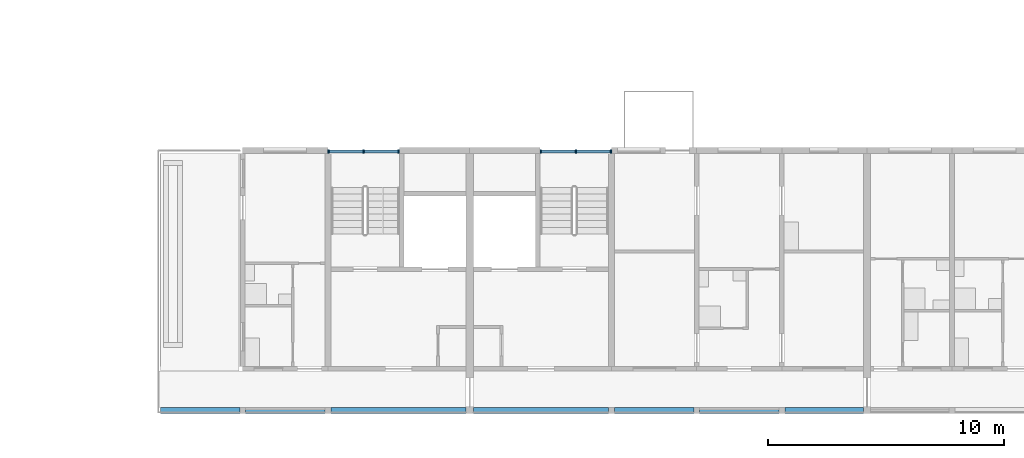
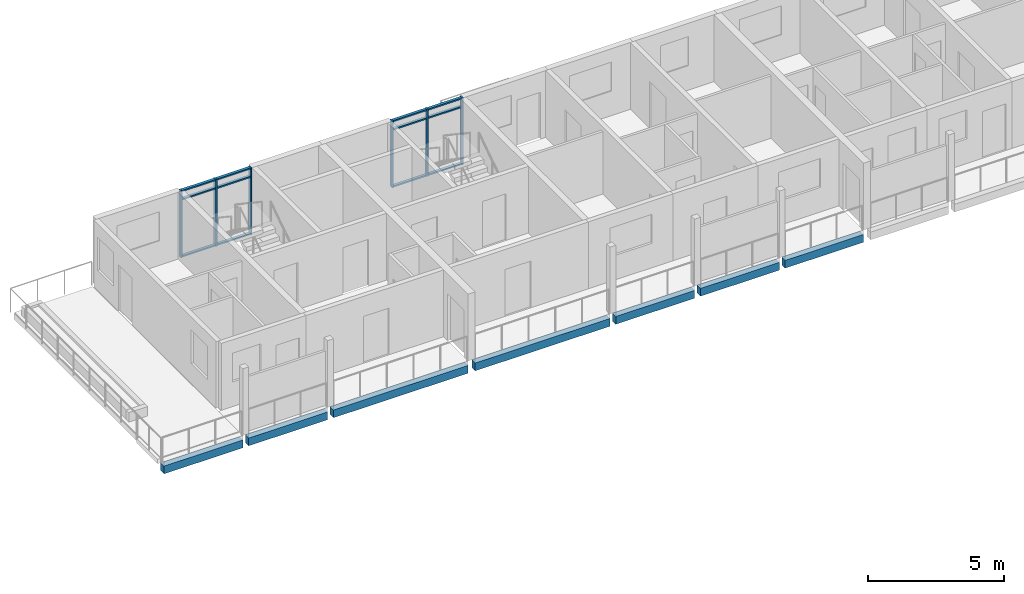
# One storey, part 14 of 78: 18 members, 7 beams, 2 elements without a shape of their own.
"""IFC4 building model written with IfcOpenShell, lengths in metres."""

from ifc_helpers import new_model, si_unit, direction, frame, origin, origin_2d, place, context, subcontext, project, spatial, rectangle, extrude, material, material_profile, profile_set, type_object, element, aggregate, save


model = new_model("IFC4")

# Units and contexts
model_context = context("Model", 3, precision=1e-05, world=origin(), true_north=direction((0.0, 1.0)))
body_context = subcontext(model_context, "Body", "Model", "MODEL_VIEW")
ifc_project = project(units=[si_unit("LENGTHUNIT", "METRE"), si_unit("AREAUNIT", "SQUARE_METRE"), si_unit("VOLUMEUNIT", "CUBIC_METRE"), si_unit("PLANEANGLEUNIT", "RADIAN"), si_unit("MASSUNIT", "GRAM", prefix="KILO")], contexts=[model_context])

# Site, building, storey
site_placement = place(None, origin())
site = spatial("IfcSite", under=ifc_project, at=site_placement, CompositionType="ELEMENT")
building_placement = place(site_placement, origin())
building = spatial("IfcBuilding", under=site, at=building_placement, Name="Ridgestep Commons", CompositionType="ELEMENT")
storey_placement = place(building_placement, frame((0.0, 0.0, 30.0)))
storey = spatial("IfcBuildingStorey", under=building, at=storey_placement, Name="L10", CompositionType="ELEMENT", Elevation=30.0)

# Beams
ifc_material_1 = material(Name="Precast concrete C40/50", Category="concrete")
ifc_material_profile_1 = material_profile(ifc_material_1, rectangle(XDim=0.25, YDim=0.35009765625, at=origin_2d()), Name="PC 250x350")
ifc_profile_set_1 = profile_set([ifc_material_profile_1], Name="Precast concrete C40/50")
beam_type = type_object("IfcBeamType", Name="Loggia edge beam 250 x 350", PredefinedType="SPANDREL", material=ifc_profile_set_1)
for number, where, z_axis, x_axis, name in (
    (1, (150.52490234375, 11.875, -0.375), (1.0, 0.0, 0.0), (0.0, 1.0, 0.0), "Loggia edge beam D1T2 L10"),
    (2, (154.125, 11.875, -0.375), (1.0, 0.0, 0.0), (0.0, 1.0, 0.0), "Loggia edge beam D1T3 L10"),
):
    element("IfcBeam", number, at=place(storey_placement, frame(where, z_axis=z_axis, x_axis=x_axis)), inside=storey, type_object=beam_type, Name=name, PredefinedType="SPANDREL", context=body_context, shape_type="SweptSolid", body=[
        extrude(rectangle(XDim=0.25, YDim=0.35009765625, at=origin_2d()), origin(), (0.0, 0.0, 1.0), 3.35009765625),
    ])
beam_1_placement = place(storey_placement, frame((157.72509765625, 11.875, -0.375), z_axis=(1.0, 0.0, 0.0), x_axis=(0.0, 1.0, 0.0)))
element("IfcBeam", 3, at=beam_1_placement, inside=storey, type_object=beam_type, Name="Loggia edge beam D1C L10", PredefinedType="SPANDREL", context=body_context, shape_type="SweptSolid", body=[
    extrude(rectangle(XDim=0.25, YDim=0.35009765625, at=origin_2d()), origin(), (0.0, 0.0, 1.0), 5.724853515625),
])
beam_2_placement = place(storey_placement, frame((163.75, 11.875, -0.375), z_axis=(1.0, 0.0, 0.0), x_axis=(0.0, 1.0, 0.0)))
element("IfcBeam", 4, at=beam_2_placement, inside=storey, type_object=beam_type, Name="Loggia edge beam D2C L10", PredefinedType="SPANDREL", context=body_context, shape_type="SweptSolid", body=[
    extrude(rectangle(XDim=0.25, YDim=0.35009765625, at=origin_2d()), origin(), (0.0, 0.0, 1.0), 5.72509765625),
])
beam_3_placement = place(storey_placement, frame((169.72509765625, 11.875, -0.375), z_axis=(1.0, 0.0, 0.0), x_axis=(0.0, 1.0, 0.0)))
element("IfcBeam", 5, at=beam_3_placement, inside=storey, type_object=beam_type, Name="Loggia edge beam D2T3 L10", PredefinedType="SPANDREL", context=body_context, shape_type="SweptSolid", body=[
    extrude(rectangle(XDim=0.25, YDim=0.35009765625, at=origin_2d()), origin(), (0.0, 0.0, 1.0), 3.349853515625),
])
beam_4_placement = place(storey_placement, frame((173.324951171875, 11.875, -0.375), z_axis=(1.0, 0.0, 0.0), x_axis=(0.0, 1.0, 0.0)))
element("IfcBeam", 6, at=beam_4_placement, inside=storey, type_object=beam_type, Name="Loggia edge beam D2T2 L10", PredefinedType="SPANDREL", context=body_context, shape_type="SweptSolid", body=[
    extrude(rectangle(XDim=0.25, YDim=0.35009765625, at=origin_2d()), origin(), (0.0, 0.0, 1.0), 3.35009765625),
])
beam_5_placement = place(storey_placement, frame((176.925048828125, 11.875, -0.375), z_axis=(1.0, 0.0, 0.0), x_axis=(0.0, 1.0, 0.0)))
element("IfcBeam", 7, at=beam_5_placement, inside=storey, type_object=beam_type, Name="Loggia edge beam D2T1 L10", PredefinedType="SPANDREL", context=body_context, shape_type="SweptSolid", body=[
    extrude(rectangle(XDim=0.25, YDim=0.35009765625, at=origin_2d()), origin(), (0.0, 0.0, 1.0), 3.324951171875),
])

# Curtain wall, members
ifc_material_2 = material(Name="Aluminium 6063-T6 and glass", Category="aluminium")
curtain_wall_type = type_object("IfcCurtainWallType", Name="Curtain wall stair strip", PredefinedType="NOTDEFINED", material=ifc_material_2)
curtain_wall_1_placement = place(storey_placement, origin())
curtain_wall_1 = element("IfcCurtainWall", 8, at=curtain_wall_1_placement, inside=storey, type_object=curtain_wall_type, Name="Curtain wall D1C level 10", PredefinedType="NOTDEFINED")
ifc_material_3 = material(Name="Aluminium 6063-T6", Category="aluminium")
ifc_material_profile_2 = material_profile(ifc_material_3, rectangle(XDim=0.159912109375, YDim=0.06005859375, at=origin_2d()), Name="Mullion 60 x 160")
ifc_profile_set_2 = profile_set([ifc_material_profile_2], Name="Aluminium 6063-T6")
member_type_1 = type_object("IfcMemberType", Name="Mullion 60 x 160", PredefinedType="MULLION", material=ifc_profile_set_2)
member_1_placement = place(storey_placement, frame((157.6298828125, 22.830078125, 0.0), z_axis=(0.0, 0.0, 1.0), x_axis=(0.0, 1.0, 0.0)))
member_1 = element("IfcMember", 9, at=member_1_placement, type_object=member_type_1, Name="CW1 mullion 1", PredefinedType="MULLION", context=body_context, shape_type="SweptSolid", body=[
    extrude(rectangle(XDim=0.159912109375, YDim=0.06005859375, at=origin_2d()), origin(), (0.0, 0.0, 1.0), 3.0),
])
member_2_placement = place(storey_placement, frame((159.112548828125, 22.830078125, 0.0), z_axis=(0.0, 0.0, 1.0), x_axis=(0.0, 1.0, 0.0)))
member_2 = element("IfcMember", 10, at=member_2_placement, type_object=member_type_1, Name="CW1 mullion 2", PredefinedType="MULLION", context=body_context, shape_type="SweptSolid", body=[
    extrude(rectangle(XDim=0.159912109375, YDim=0.06005859375, at=origin_2d()), origin(), (0.0, 0.0, 1.0), 3.0),
])
member_3_placement = place(storey_placement, frame((160.594970703125, 22.830078125, 0.0), z_axis=(0.0, 0.0, 1.0), x_axis=(0.0, 1.0, 0.0)))
member_3 = element("IfcMember", 11, at=member_3_placement, type_object=member_type_1, Name="CW1 mullion 3", PredefinedType="MULLION", context=body_context, shape_type="SweptSolid", body=[
    extrude(rectangle(XDim=0.159912109375, YDim=0.06005859375, at=origin_2d()), origin(), (0.0, 0.0, 1.0), 3.0),
])

curtain_wall_2_placement = place(storey_placement, origin())
curtain_wall_2 = element("IfcCurtainWall", 12, at=curtain_wall_2_placement, inside=storey, type_object=curtain_wall_type, Name="Curtain wall D2C level 10", PredefinedType="NOTDEFINED")
member_4_placement = place(storey_placement, frame((166.60498046875, 22.830078125, 0.0), z_axis=(0.0, 0.0, 1.0), x_axis=(0.0, 1.0, 0.0)))
member_4 = element("IfcMember", 13, at=member_4_placement, type_object=member_type_1, Name="CW1 mullion 1", PredefinedType="MULLION", context=body_context, shape_type="SweptSolid", body=[
    extrude(rectangle(XDim=0.159912109375, YDim=0.06005859375, at=origin_2d()), origin(), (0.0, 0.0, 1.0), 3.0),
])
member_5_placement = place(storey_placement, frame((168.08740234375, 22.830078125, 0.0), z_axis=(0.0, 0.0, 1.0), x_axis=(0.0, 1.0, 0.0)))
member_5 = element("IfcMember", 14, at=member_5_placement, type_object=member_type_1, Name="CW1 mullion 2", PredefinedType="MULLION", context=body_context, shape_type="SweptSolid", body=[
    extrude(rectangle(XDim=0.159912109375, YDim=0.06005859375, at=origin_2d()), origin(), (0.0, 0.0, 1.0), 3.0),
])
member_6_placement = place(storey_placement, frame((169.570068359375, 22.830078125, 0.0), z_axis=(0.0, 0.0, 1.0), x_axis=(0.0, 1.0, 0.0)))
member_6 = element("IfcMember", 15, at=member_6_placement, type_object=member_type_1, Name="CW1 mullion 3", PredefinedType="MULLION", context=body_context, shape_type="SweptSolid", body=[
    extrude(rectangle(XDim=0.159912109375, YDim=0.06005859375, at=origin_2d()), origin(), (0.0, 0.0, 1.0), 3.0),
])

# Member
ifc_material_4 = material(Name="Aluminium 6063-T6", Category="aluminium")
ifc_material_profile_3 = material_profile(ifc_material_4, rectangle(XDim=0.1201171875, YDim=0.06005859375, at=origin_2d()), Name="Transom 60 x 120")
ifc_profile_set_3 = profile_set([ifc_material_profile_3], Name="Aluminium 6063-T6")
member_type_2 = type_object("IfcMemberType", Name="Transom 60 x 120", PredefinedType="USERDEFINED", material=ifc_profile_set_3)
member_7_placement = place(storey_placement, frame((157.659912109375, 22.830078125, 0.030029296875), z_axis=(1.0, 0.0, 0.0), x_axis=(0.0, 1.0, 0.0)))
member_7 = element("IfcMember", 16, at=member_7_placement, type_object=member_type_2, Name="CW1 transom 1.1", ObjectType="TRANSOM", PredefinedType="USERDEFINED", context=body_context, shape_type="SweptSolid", body=[
    extrude(rectangle(XDim=0.1201171875, YDim=0.06005859375, at=origin_2d()), origin(), (0.0, 0.0, 1.0), 1.422607421875),
])

member_8_placement = place(storey_placement, frame((157.659912109375, 22.830078125, 2.590087890625), z_axis=(1.0, 0.0, 0.0), x_axis=(0.0, 1.0, 0.0)))
member_8 = element("IfcMember", 17, at=member_8_placement, type_object=member_type_2, Name="CW1 transom 1.2", ObjectType="TRANSOM", PredefinedType="USERDEFINED", context=body_context, shape_type="SweptSolid", body=[
    extrude(rectangle(XDim=0.1201171875, YDim=0.06005859375, at=origin_2d()), origin(), (0.0, 0.0, 1.0), 1.422607421875),
])

member_9_placement = place(storey_placement, frame((157.659912109375, 22.830078125, 2.969970703125), z_axis=(1.0, 0.0, 0.0), x_axis=(0.0, 1.0, 0.0)))
member_9 = element("IfcMember", 18, at=member_9_placement, type_object=member_type_2, Name="CW1 transom 1.3", ObjectType="TRANSOM", PredefinedType="USERDEFINED", context=body_context, shape_type="SweptSolid", body=[
    extrude(rectangle(XDim=0.1201171875, YDim=0.06005859375, at=origin_2d()), origin(), (0.0, 0.0, 1.0), 1.422607421875),
])

member_10_placement = place(storey_placement, frame((159.142578125, 22.830078125, 0.030029296875), z_axis=(1.0, 0.0, 0.0), x_axis=(0.0, 1.0, 0.0)))
member_10 = element("IfcMember", 19, at=member_10_placement, type_object=member_type_2, Name="CW1 transom 2.1", ObjectType="TRANSOM", PredefinedType="USERDEFINED", context=body_context, shape_type="SweptSolid", body=[
    extrude(rectangle(XDim=0.1201171875, YDim=0.06005859375, at=origin_2d()), origin(), (0.0, 0.0, 1.0), 1.42236328125),
])

member_11_placement = place(storey_placement, frame((159.142578125, 22.830078125, 2.590087890625), z_axis=(1.0, 0.0, 0.0), x_axis=(0.0, 1.0, 0.0)))
member_11 = element("IfcMember", 20, at=member_11_placement, type_object=member_type_2, Name="CW1 transom 2.2", ObjectType="TRANSOM", PredefinedType="USERDEFINED", context=body_context, shape_type="SweptSolid", body=[
    extrude(rectangle(XDim=0.1201171875, YDim=0.06005859375, at=origin_2d()), origin(), (0.0, 0.0, 1.0), 1.42236328125),
])

member_12_placement = place(storey_placement, frame((159.142578125, 22.830078125, 2.969970703125), z_axis=(1.0, 0.0, 0.0), x_axis=(0.0, 1.0, 0.0)))
member_12 = element("IfcMember", 21, at=member_12_placement, type_object=member_type_2, Name="CW1 transom 2.3", ObjectType="TRANSOM", PredefinedType="USERDEFINED", context=body_context, shape_type="SweptSolid", body=[
    extrude(rectangle(XDim=0.1201171875, YDim=0.06005859375, at=origin_2d()), origin(), (0.0, 0.0, 1.0), 1.42236328125),
])

aggregate(curtain_wall_1, [member_1, member_2, member_3, member_7, member_8, member_9, member_10, member_11, member_12])

member_13_placement = place(storey_placement, frame((166.635009765625, 22.830078125, 0.030029296875), z_axis=(1.0, 0.0, 0.0), x_axis=(0.0, 1.0, 0.0)))
member_13 = element("IfcMember", 22, at=member_13_placement, type_object=member_type_2, Name="CW1 transom 1.1", ObjectType="TRANSOM", PredefinedType="USERDEFINED", context=body_context, shape_type="SweptSolid", body=[
    extrude(rectangle(XDim=0.1201171875, YDim=0.06005859375, at=origin_2d()), origin(), (0.0, 0.0, 1.0), 1.422607421875),
])

member_14_placement = place(storey_placement, frame((166.635009765625, 22.830078125, 2.590087890625), z_axis=(1.0, 0.0, 0.0), x_axis=(0.0, 1.0, 0.0)))
member_14 = element("IfcMember", 23, at=member_14_placement, type_object=member_type_2, Name="CW1 transom 1.2", ObjectType="TRANSOM", PredefinedType="USERDEFINED", context=body_context, shape_type="SweptSolid", body=[
    extrude(rectangle(XDim=0.1201171875, YDim=0.06005859375, at=origin_2d()), origin(), (0.0, 0.0, 1.0), 1.422607421875),
])

member_15_placement = place(storey_placement, frame((166.635009765625, 22.830078125, 2.969970703125), z_axis=(1.0, 0.0, 0.0), x_axis=(0.0, 1.0, 0.0)))
member_15 = element("IfcMember", 24, at=member_15_placement, type_object=member_type_2, Name="CW1 transom 1.3", ObjectType="TRANSOM", PredefinedType="USERDEFINED", context=body_context, shape_type="SweptSolid", body=[
    extrude(rectangle(XDim=0.1201171875, YDim=0.06005859375, at=origin_2d()), origin(), (0.0, 0.0, 1.0), 1.422607421875),
])

member_16_placement = place(storey_placement, frame((168.117431640625, 22.830078125, 0.030029296875), z_axis=(1.0, 0.0, 0.0), x_axis=(0.0, 1.0, 0.0)))
member_16 = element("IfcMember", 25, at=member_16_placement, type_object=member_type_2, Name="CW1 transom 2.1", ObjectType="TRANSOM", PredefinedType="USERDEFINED", context=body_context, shape_type="SweptSolid", body=[
    extrude(rectangle(XDim=0.1201171875, YDim=0.06005859375, at=origin_2d()), origin(), (0.0, 0.0, 1.0), 1.422607421875),
])

member_17_placement = place(storey_placement, frame((168.117431640625, 22.830078125, 2.590087890625), z_axis=(1.0, 0.0, 0.0), x_axis=(0.0, 1.0, 0.0)))
member_17 = element("IfcMember", 26, at=member_17_placement, type_object=member_type_2, Name="CW1 transom 2.2", ObjectType="TRANSOM", PredefinedType="USERDEFINED", context=body_context, shape_type="SweptSolid", body=[
    extrude(rectangle(XDim=0.1201171875, YDim=0.06005859375, at=origin_2d()), origin(), (0.0, 0.0, 1.0), 1.422607421875),
])

member_18_placement = place(storey_placement, frame((168.117431640625, 22.830078125, 2.969970703125), z_axis=(1.0, 0.0, 0.0), x_axis=(0.0, 1.0, 0.0)))
member_18 = element("IfcMember", 27, at=member_18_placement, type_object=member_type_2, Name="CW1 transom 2.3", ObjectType="TRANSOM", PredefinedType="USERDEFINED", context=body_context, shape_type="SweptSolid", body=[
    extrude(rectangle(XDim=0.1201171875, YDim=0.06005859375, at=origin_2d()), origin(), (0.0, 0.0, 1.0), 1.422607421875),
])

aggregate(curtain_wall_2, [member_4, member_5, member_6, member_13, member_14, member_15, member_16, member_17, member_18])

save(model, "model.ifc")
